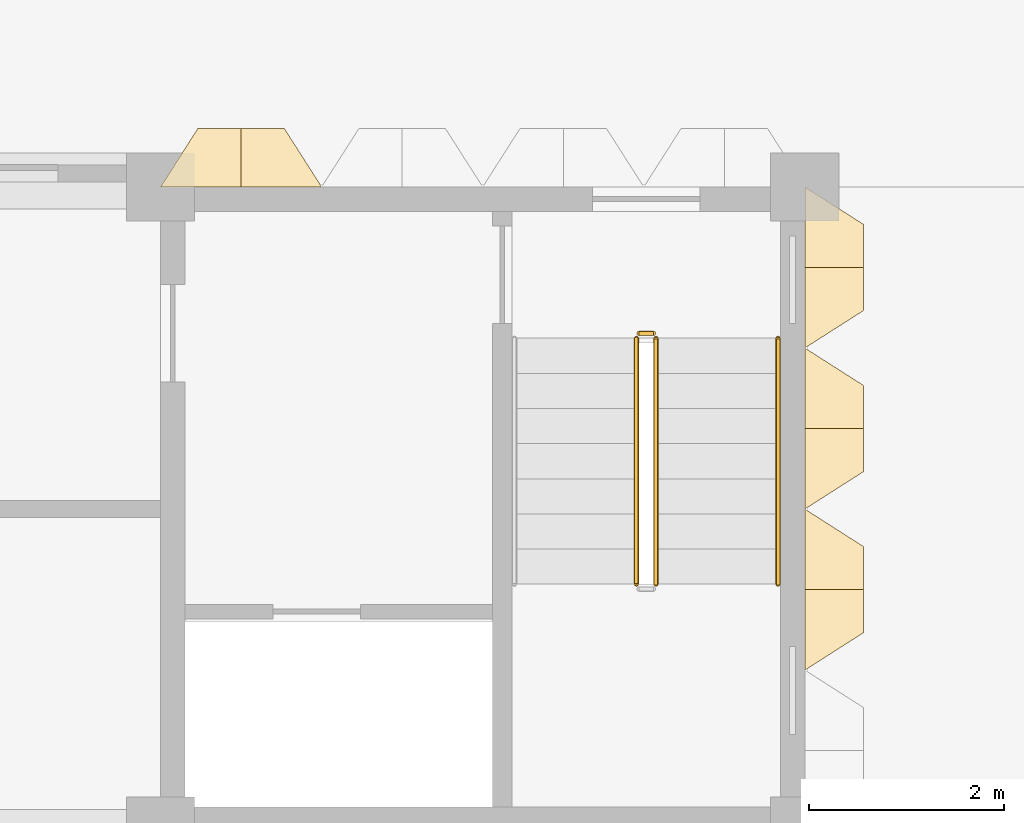
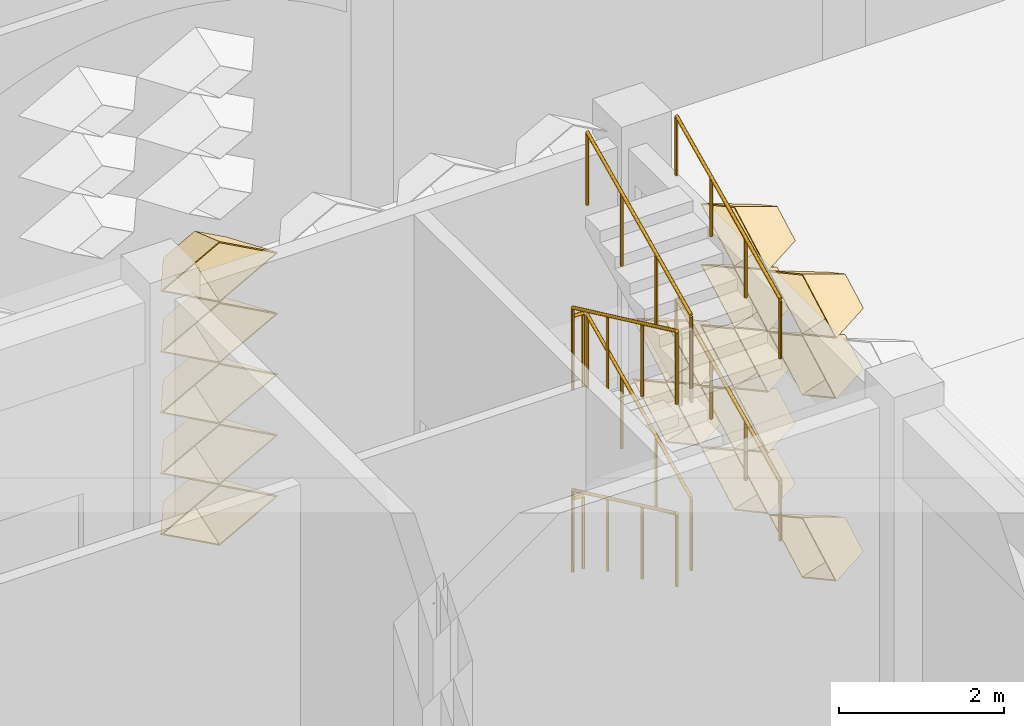
# One storey, part 67 of 85: 15 coverings, 8 railings.
"""IFC4 building model written with IfcOpenShell, lengths in metres."""

from ifc_helpers import new_model, entity, si_unit, direction, frame, origin, origin_2d, place, context, subcontext, project, spatial, circle, extrude, material, layer, layer_set, type_object, element, save


model = new_model("IFC4")

# Units and contexts
model_context = context("Model", 3, precision=1e-05, world=origin(), true_north=direction((0.0, 1.0)))
body_context = subcontext(model_context, "Body", "Model", "MODEL_VIEW")
ifc_project = project(units=[si_unit("LENGTHUNIT", "METRE"), si_unit("AREAUNIT", "SQUARE_METRE"), si_unit("VOLUMEUNIT", "CUBIC_METRE"), si_unit("PLANEANGLEUNIT", "RADIAN"), si_unit("MASSUNIT", "GRAM", prefix="KILO")], contexts=[model_context])

# Site, building, storey
site_placement = place(None, origin())
site = spatial("IfcSite", under=ifc_project, at=site_placement, CompositionType="ELEMENT")
building_placement = place(site_placement, origin())
building = spatial("IfcBuilding", under=site, at=building_placement, Name="Lantern Court Research Institute", CompositionType="ELEMENT")
storey_placement = place(building_placement, origin())
storey = spatial("IfcBuildingStorey", under=building, at=storey_placement, Name="L00", CompositionType="ELEMENT", Elevation=0.0)

# Coverings
ifc_material_1 = material(Name="Anodised aluminium", Category="aluminium")
ifc_layer = layer(ifc_material_1, 0.01611328125)
ifc_layer_set = layer_set([ifc_layer], Name="Anodised aluminium")
covering_type = type_object("IfcCoveringType", Name="Fin cassette 1650 x 900 x 600 aluminium", PredefinedType="CLADDING", material=ifc_layer_set)
covering_1_placement = place(storey_placement, frame((26.39990234375, 71.77490234375, 1.35009765625), z_axis=(1.0, 0.0, 0.0), x_axis=(0.0, 1.0, 0.0)))
cartesian_point_1 = entity("IfcCartesianPoint", [0.824951171875, 0.0])
cartesian_point_2 = entity("IfcCartesianPoint", [0.79150390625, 0.0])
cartesian_point_3 = entity("IfcCartesianPoint", [0.44189453125, 0.0])
cartesian_point_4 = entity("IfcCartesianPoint", [0.43359375, 0.0])
element("IfcCovering", 1, at=covering_1_placement, inside=storey, type_object=covering_type, Name="Fin cassette V3E-L00 2.44", PredefinedType="CLADDING", context=body_context, shape_type="SweptSolid", body=[
    entity("IfcExtrudedAreaSolidTapered", entity("IfcArbitraryProfileDefWithVoids", "AREA", None, entity("IfcPolyline", [cartesian_point_1, entity("IfcCartesianPoint", [0.0, 0.449951171875]), entity("IfcCartesianPoint", [-0.824951171875, 0.0]), entity("IfcCartesianPoint", [0.0, -0.449951171875]), cartesian_point_1]), [entity("IfcPolyline", [cartesian_point_2, entity("IfcCartesianPoint", [0.0, 0.431884765625]), entity("IfcCartesianPoint", [-0.79150390625, 0.0]), entity("IfcCartesianPoint", [0.0, -0.431884765625]), cartesian_point_2])]), entity("IfcAxis2Placement3D", entity("IfcCartesianPoint", [0.0, 0.0, 0.0])), entity("IfcDirection", [0.0, 0.0, 1.0]), 0.60009765625, entity("IfcArbitraryProfileDefWithVoids", "AREA", None, entity("IfcPolyline", [cartesian_point_3, entity("IfcCartesianPoint", [0.0, 0.240966796875]), entity("IfcCartesianPoint", [-0.44189453125, 0.0]), entity("IfcCartesianPoint", [0.0, -0.240966796875]), cartesian_point_3]), [entity("IfcPolyline", [cartesian_point_4, entity("IfcCartesianPoint", [0.0, 0.236572265625]), entity("IfcCartesianPoint", [-0.43359375, 0.0]), entity("IfcCartesianPoint", [0.0, -0.236572265625]), cartesian_point_4])])),
])
covering_2_placement = place(storey_placement, frame((26.39990234375, 73.425048828125, 1.35009765625), z_axis=(1.0, 0.0, 0.0), x_axis=(0.0, 1.0, 0.0)))
cartesian_point_5 = entity("IfcCartesianPoint", [0.824951171875, 0.0])
cartesian_point_6 = entity("IfcCartesianPoint", [0.79150390625, 0.0])
cartesian_point_7 = entity("IfcCartesianPoint", [0.44189453125, 0.0])
cartesian_point_8 = entity("IfcCartesianPoint", [0.43359375, 0.0])
element("IfcCovering", 2, at=covering_2_placement, inside=storey, type_object=covering_type, Name="Fin cassette V3E-L00 2.45", PredefinedType="CLADDING", context=body_context, shape_type="SweptSolid", body=[
    entity("IfcExtrudedAreaSolidTapered", entity("IfcArbitraryProfileDefWithVoids", "AREA", None, entity("IfcPolyline", [cartesian_point_5, entity("IfcCartesianPoint", [0.0, 0.449951171875]), entity("IfcCartesianPoint", [-0.824951171875, 0.0]), entity("IfcCartesianPoint", [0.0, -0.449951171875]), cartesian_point_5]), [entity("IfcPolyline", [cartesian_point_6, entity("IfcCartesianPoint", [0.0, 0.431884765625]), entity("IfcCartesianPoint", [-0.79150390625, 0.0]), entity("IfcCartesianPoint", [0.0, -0.431884765625]), cartesian_point_6])]), entity("IfcAxis2Placement3D", entity("IfcCartesianPoint", [0.0, 0.0, 0.0])), entity("IfcDirection", [0.0, 0.0, 1.0]), 0.60009765625, entity("IfcArbitraryProfileDefWithVoids", "AREA", None, entity("IfcPolyline", [cartesian_point_7, entity("IfcCartesianPoint", [0.0, 0.240966796875]), entity("IfcCartesianPoint", [-0.44189453125, 0.0]), entity("IfcCartesianPoint", [0.0, -0.240966796875]), cartesian_point_7]), [entity("IfcPolyline", [cartesian_point_8, entity("IfcCartesianPoint", [0.0, 0.236572265625]), entity("IfcCartesianPoint", [-0.43359375, 0.0]), entity("IfcCartesianPoint", [0.0, -0.236572265625]), cartesian_point_8])])),
])
covering_3_placement = place(storey_placement, frame((26.39990234375, 75.074951171875, 1.35009765625), z_axis=(1.0, 0.0, 0.0), x_axis=(0.0, 1.0, 0.0)))
cartesian_point_9 = entity("IfcCartesianPoint", [0.824951171875, 0.0])
cartesian_point_10 = entity("IfcCartesianPoint", [0.79150390625, 0.0])
cartesian_point_11 = entity("IfcCartesianPoint", [0.44189453125, 0.0])
cartesian_point_12 = entity("IfcCartesianPoint", [0.43359375, 0.0])
element("IfcCovering", 3, at=covering_3_placement, inside=storey, type_object=covering_type, Name="Fin cassette V3E-L00 2.46", PredefinedType="CLADDING", context=body_context, shape_type="SweptSolid", body=[
    entity("IfcExtrudedAreaSolidTapered", entity("IfcArbitraryProfileDefWithVoids", "AREA", None, entity("IfcPolyline", [cartesian_point_9, entity("IfcCartesianPoint", [0.0, 0.449951171875]), entity("IfcCartesianPoint", [-0.824951171875, 0.0]), entity("IfcCartesianPoint", [0.0, -0.449951171875]), cartesian_point_9]), [entity("IfcPolyline", [cartesian_point_10, entity("IfcCartesianPoint", [0.0, 0.431884765625]), entity("IfcCartesianPoint", [-0.79150390625, 0.0]), entity("IfcCartesianPoint", [0.0, -0.431884765625]), cartesian_point_10])]), entity("IfcAxis2Placement3D", entity("IfcCartesianPoint", [0.0, 0.0, 0.0])), entity("IfcDirection", [0.0, 0.0, 1.0]), 0.60009765625, entity("IfcArbitraryProfileDefWithVoids", "AREA", None, entity("IfcPolyline", [cartesian_point_11, entity("IfcCartesianPoint", [0.0, 0.240966796875]), entity("IfcCartesianPoint", [-0.44189453125, 0.0]), entity("IfcCartesianPoint", [0.0, -0.240966796875]), cartesian_point_11]), [entity("IfcPolyline", [cartesian_point_12, entity("IfcCartesianPoint", [0.0, 0.236572265625]), entity("IfcCartesianPoint", [-0.43359375, 0.0]), entity("IfcCartesianPoint", [0.0, -0.236572265625]), cartesian_point_12])])),
])
covering_4_placement = place(storey_placement, frame((26.39990234375, 73.425048828125, 2.25), z_axis=(1.0, 0.0, 0.0), x_axis=(0.0, 1.0, 0.0)))
cartesian_point_13 = entity("IfcCartesianPoint", [0.824951171875, 0.0])
cartesian_point_14 = entity("IfcCartesianPoint", [0.79150390625, 0.0])
cartesian_point_15 = entity("IfcCartesianPoint", [0.44189453125, 0.0])
cartesian_point_16 = entity("IfcCartesianPoint", [0.43359375, 0.0])
element("IfcCovering", 4, at=covering_4_placement, inside=storey, type_object=covering_type, Name="Fin cassette V3E-L00 3.45", PredefinedType="CLADDING", context=body_context, shape_type="SweptSolid", body=[
    entity("IfcExtrudedAreaSolidTapered", entity("IfcArbitraryProfileDefWithVoids", "AREA", None, entity("IfcPolyline", [cartesian_point_13, entity("IfcCartesianPoint", [0.0, 0.449951171875]), entity("IfcCartesianPoint", [-0.824951171875, 0.0]), entity("IfcCartesianPoint", [0.0, -0.449951171875]), cartesian_point_13]), [entity("IfcPolyline", [cartesian_point_14, entity("IfcCartesianPoint", [0.0, 0.431884765625]), entity("IfcCartesianPoint", [-0.79150390625, 0.0]), entity("IfcCartesianPoint", [0.0, -0.431884765625]), cartesian_point_14])]), entity("IfcAxis2Placement3D", entity("IfcCartesianPoint", [0.0, 0.0, 0.0])), entity("IfcDirection", [0.0, 0.0, 1.0]), 0.60009765625, entity("IfcArbitraryProfileDefWithVoids", "AREA", None, entity("IfcPolyline", [cartesian_point_15, entity("IfcCartesianPoint", [0.0, 0.240966796875]), entity("IfcCartesianPoint", [-0.44189453125, 0.0]), entity("IfcCartesianPoint", [0.0, -0.240966796875]), cartesian_point_15]), [entity("IfcPolyline", [cartesian_point_16, entity("IfcCartesianPoint", [0.0, 0.236572265625]), entity("IfcCartesianPoint", [-0.43359375, 0.0]), entity("IfcCartesianPoint", [0.0, -0.236572265625]), cartesian_point_16])])),
])
covering_5_placement = place(storey_placement, frame((26.39990234375, 75.074951171875, 2.25), z_axis=(1.0, 0.0, 0.0), x_axis=(0.0, 1.0, 0.0)))
cartesian_point_17 = entity("IfcCartesianPoint", [0.824951171875, 0.0])
cartesian_point_18 = entity("IfcCartesianPoint", [0.79150390625, 0.0])
cartesian_point_19 = entity("IfcCartesianPoint", [0.44189453125, 0.0])
cartesian_point_20 = entity("IfcCartesianPoint", [0.43359375, 0.0])
element("IfcCovering", 5, at=covering_5_placement, inside=storey, type_object=covering_type, Name="Fin cassette V3E-L00 3.46", PredefinedType="CLADDING", context=body_context, shape_type="SweptSolid", body=[
    entity("IfcExtrudedAreaSolidTapered", entity("IfcArbitraryProfileDefWithVoids", "AREA", None, entity("IfcPolyline", [cartesian_point_17, entity("IfcCartesianPoint", [0.0, 0.449951171875]), entity("IfcCartesianPoint", [-0.824951171875, 0.0]), entity("IfcCartesianPoint", [0.0, -0.449951171875]), cartesian_point_17]), [entity("IfcPolyline", [cartesian_point_18, entity("IfcCartesianPoint", [0.0, 0.431884765625]), entity("IfcCartesianPoint", [-0.79150390625, 0.0]), entity("IfcCartesianPoint", [0.0, -0.431884765625]), cartesian_point_18])]), entity("IfcAxis2Placement3D", entity("IfcCartesianPoint", [0.0, 0.0, 0.0])), entity("IfcDirection", [0.0, 0.0, 1.0]), 0.60009765625, entity("IfcArbitraryProfileDefWithVoids", "AREA", None, entity("IfcPolyline", [cartesian_point_19, entity("IfcCartesianPoint", [0.0, 0.240966796875]), entity("IfcCartesianPoint", [-0.44189453125, 0.0]), entity("IfcCartesianPoint", [0.0, -0.240966796875]), cartesian_point_19]), [entity("IfcPolyline", [cartesian_point_20, entity("IfcCartesianPoint", [0.0, 0.236572265625]), entity("IfcCartesianPoint", [-0.43359375, 0.0]), entity("IfcCartesianPoint", [0.0, -0.236572265625]), cartesian_point_20])])),
])
covering_6_placement = place(storey_placement, frame((26.39990234375, 73.425048828125, 3.14990234375), z_axis=(1.0, 0.0, 0.0), x_axis=(0.0, 1.0, 0.0)))
cartesian_point_21 = entity("IfcCartesianPoint", [0.824951171875, 0.0])
cartesian_point_22 = entity("IfcCartesianPoint", [0.79150390625, 0.0])
cartesian_point_23 = entity("IfcCartesianPoint", [0.44189453125, 0.0])
cartesian_point_24 = entity("IfcCartesianPoint", [0.43359375, 0.0])
element("IfcCovering", 6, at=covering_6_placement, inside=storey, type_object=covering_type, Name="Fin cassette V3E-L00 4.45", PredefinedType="CLADDING", context=body_context, shape_type="SweptSolid", body=[
    entity("IfcExtrudedAreaSolidTapered", entity("IfcArbitraryProfileDefWithVoids", "AREA", None, entity("IfcPolyline", [cartesian_point_21, entity("IfcCartesianPoint", [0.0, 0.449951171875]), entity("IfcCartesianPoint", [-0.824951171875, 0.0]), entity("IfcCartesianPoint", [0.0, -0.449951171875]), cartesian_point_21]), [entity("IfcPolyline", [cartesian_point_22, entity("IfcCartesianPoint", [0.0, 0.431884765625]), entity("IfcCartesianPoint", [-0.79150390625, 0.0]), entity("IfcCartesianPoint", [0.0, -0.431884765625]), cartesian_point_22])]), entity("IfcAxis2Placement3D", entity("IfcCartesianPoint", [0.0, 0.0, 0.0])), entity("IfcDirection", [0.0, 0.0, 1.0]), 0.60009765625, entity("IfcArbitraryProfileDefWithVoids", "AREA", None, entity("IfcPolyline", [cartesian_point_23, entity("IfcCartesianPoint", [0.0, 0.240966796875]), entity("IfcCartesianPoint", [-0.44189453125, 0.0]), entity("IfcCartesianPoint", [0.0, -0.240966796875]), cartesian_point_23]), [entity("IfcPolyline", [cartesian_point_24, entity("IfcCartesianPoint", [0.0, 0.236572265625]), entity("IfcCartesianPoint", [-0.43359375, 0.0]), entity("IfcCartesianPoint", [0.0, -0.236572265625]), cartesian_point_24])])),
])
covering_7_placement = place(storey_placement, frame((26.39990234375, 71.77490234375, 4.050048828125), z_axis=(1.0, 0.0, 0.0), x_axis=(0.0, 1.0, 0.0)))
cartesian_point_25 = entity("IfcCartesianPoint", [0.824951171875, 0.0])
cartesian_point_26 = entity("IfcCartesianPoint", [0.79150390625, 0.0])
cartesian_point_27 = entity("IfcCartesianPoint", [0.44189453125, 0.0])
cartesian_point_28 = entity("IfcCartesianPoint", [0.43359375, 0.0])
element("IfcCovering", 7, at=covering_7_placement, inside=storey, type_object=covering_type, Name="Fin cassette V3E-L00 5.44", PredefinedType="CLADDING", context=body_context, shape_type="SweptSolid", body=[
    entity("IfcExtrudedAreaSolidTapered", entity("IfcArbitraryProfileDefWithVoids", "AREA", None, entity("IfcPolyline", [cartesian_point_25, entity("IfcCartesianPoint", [0.0, 0.449951171875]), entity("IfcCartesianPoint", [-0.824951171875, 0.0]), entity("IfcCartesianPoint", [0.0, -0.449951171875]), cartesian_point_25]), [entity("IfcPolyline", [cartesian_point_26, entity("IfcCartesianPoint", [0.0, 0.431884765625]), entity("IfcCartesianPoint", [-0.79150390625, 0.0]), entity("IfcCartesianPoint", [0.0, -0.431884765625]), cartesian_point_26])]), entity("IfcAxis2Placement3D", entity("IfcCartesianPoint", [0.0, 0.0, 0.0])), entity("IfcDirection", [0.0, 0.0, 1.0]), 0.60009765625, entity("IfcArbitraryProfileDefWithVoids", "AREA", None, entity("IfcPolyline", [cartesian_point_27, entity("IfcCartesianPoint", [0.0, 0.240966796875]), entity("IfcCartesianPoint", [-0.44189453125, 0.0]), entity("IfcCartesianPoint", [0.0, -0.240966796875]), cartesian_point_27]), [entity("IfcPolyline", [cartesian_point_28, entity("IfcCartesianPoint", [0.0, 0.236572265625]), entity("IfcCartesianPoint", [-0.43359375, 0.0]), entity("IfcCartesianPoint", [0.0, -0.236572265625]), cartesian_point_28])])),
])
covering_8_placement = place(storey_placement, frame((26.39990234375, 73.425048828125, 4.050048828125), z_axis=(1.0, 0.0, 0.0), x_axis=(0.0, 1.0, 0.0)))
cartesian_point_29 = entity("IfcCartesianPoint", [0.824951171875, 0.0])
cartesian_point_30 = entity("IfcCartesianPoint", [0.79150390625, 0.0])
cartesian_point_31 = entity("IfcCartesianPoint", [0.44189453125, 0.0])
cartesian_point_32 = entity("IfcCartesianPoint", [0.43359375, 0.0])
element("IfcCovering", 8, at=covering_8_placement, inside=storey, type_object=covering_type, Name="Fin cassette V3E-L00 5.45", PredefinedType="CLADDING", context=body_context, shape_type="SweptSolid", body=[
    entity("IfcExtrudedAreaSolidTapered", entity("IfcArbitraryProfileDefWithVoids", "AREA", None, entity("IfcPolyline", [cartesian_point_29, entity("IfcCartesianPoint", [0.0, 0.449951171875]), entity("IfcCartesianPoint", [-0.824951171875, 0.0]), entity("IfcCartesianPoint", [0.0, -0.449951171875]), cartesian_point_29]), [entity("IfcPolyline", [cartesian_point_30, entity("IfcCartesianPoint", [0.0, 0.431884765625]), entity("IfcCartesianPoint", [-0.79150390625, 0.0]), entity("IfcCartesianPoint", [0.0, -0.431884765625]), cartesian_point_30])]), entity("IfcAxis2Placement3D", entity("IfcCartesianPoint", [0.0, 0.0, 0.0])), entity("IfcDirection", [0.0, 0.0, 1.0]), 0.60009765625, entity("IfcArbitraryProfileDefWithVoids", "AREA", None, entity("IfcPolyline", [cartesian_point_31, entity("IfcCartesianPoint", [0.0, 0.240966796875]), entity("IfcCartesianPoint", [-0.44189453125, 0.0]), entity("IfcCartesianPoint", [0.0, -0.240966796875]), cartesian_point_31]), [entity("IfcPolyline", [cartesian_point_32, entity("IfcCartesianPoint", [0.0, 0.236572265625]), entity("IfcCartesianPoint", [-0.43359375, 0.0]), entity("IfcCartesianPoint", [0.0, -0.236572265625]), cartesian_point_32])])),
])
covering_9_placement = place(storey_placement, frame((26.39990234375, 71.77490234375, 4.949951171875), z_axis=(1.0, 0.0, 0.0), x_axis=(0.0, 1.0, 0.0)))
cartesian_point_33 = entity("IfcCartesianPoint", [0.824951171875, 0.0])
cartesian_point_34 = entity("IfcCartesianPoint", [0.79150390625, 0.0])
cartesian_point_35 = entity("IfcCartesianPoint", [0.44189453125, 0.0])
cartesian_point_36 = entity("IfcCartesianPoint", [0.43359375, 0.0])
element("IfcCovering", 9, at=covering_9_placement, inside=storey, type_object=covering_type, Name="Fin cassette V3E-L00 6.44", PredefinedType="CLADDING", context=body_context, shape_type="SweptSolid", body=[
    entity("IfcExtrudedAreaSolidTapered", entity("IfcArbitraryProfileDefWithVoids", "AREA", None, entity("IfcPolyline", [cartesian_point_33, entity("IfcCartesianPoint", [0.0, 0.449951171875]), entity("IfcCartesianPoint", [-0.824951171875, 0.0]), entity("IfcCartesianPoint", [0.0, -0.449951171875]), cartesian_point_33]), [entity("IfcPolyline", [cartesian_point_34, entity("IfcCartesianPoint", [0.0, 0.431884765625]), entity("IfcCartesianPoint", [-0.79150390625, 0.0]), entity("IfcCartesianPoint", [0.0, -0.431884765625]), cartesian_point_34])]), entity("IfcAxis2Placement3D", entity("IfcCartesianPoint", [0.0, 0.0, 0.0])), entity("IfcDirection", [0.0, 0.0, 1.0]), 0.60009765625, entity("IfcArbitraryProfileDefWithVoids", "AREA", None, entity("IfcPolyline", [cartesian_point_35, entity("IfcCartesianPoint", [0.0, 0.240966796875]), entity("IfcCartesianPoint", [-0.44189453125, 0.0]), entity("IfcCartesianPoint", [0.0, -0.240966796875]), cartesian_point_35]), [entity("IfcPolyline", [cartesian_point_36, entity("IfcCartesianPoint", [0.0, 0.236572265625]), entity("IfcCartesianPoint", [-0.43359375, 0.0]), entity("IfcCartesianPoint", [0.0, -0.236572265625]), cartesian_point_36])])),
])
covering_10_placement = place(storey_placement, frame((26.39990234375, 73.425048828125, 4.949951171875), z_axis=(1.0, 0.0, 0.0), x_axis=(0.0, 1.0, 0.0)))
cartesian_point_37 = entity("IfcCartesianPoint", [0.824951171875, 0.0])
cartesian_point_38 = entity("IfcCartesianPoint", [0.79150390625, 0.0])
cartesian_point_39 = entity("IfcCartesianPoint", [0.44189453125, 0.0])
cartesian_point_40 = entity("IfcCartesianPoint", [0.43359375, 0.0])
element("IfcCovering", 10, at=covering_10_placement, inside=storey, type_object=covering_type, Name="Fin cassette V3E-L00 6.45", PredefinedType="CLADDING", context=body_context, shape_type="SweptSolid", body=[
    entity("IfcExtrudedAreaSolidTapered", entity("IfcArbitraryProfileDefWithVoids", "AREA", None, entity("IfcPolyline", [cartesian_point_37, entity("IfcCartesianPoint", [0.0, 0.449951171875]), entity("IfcCartesianPoint", [-0.824951171875, 0.0]), entity("IfcCartesianPoint", [0.0, -0.449951171875]), cartesian_point_37]), [entity("IfcPolyline", [cartesian_point_38, entity("IfcCartesianPoint", [0.0, 0.431884765625]), entity("IfcCartesianPoint", [-0.79150390625, 0.0]), entity("IfcCartesianPoint", [0.0, -0.431884765625]), cartesian_point_38])]), entity("IfcAxis2Placement3D", entity("IfcCartesianPoint", [0.0, 0.0, 0.0])), entity("IfcDirection", [0.0, 0.0, 1.0]), 0.60009765625, entity("IfcArbitraryProfileDefWithVoids", "AREA", None, entity("IfcPolyline", [cartesian_point_39, entity("IfcCartesianPoint", [0.0, 0.240966796875]), entity("IfcCartesianPoint", [-0.44189453125, 0.0]), entity("IfcCartesianPoint", [0.0, -0.240966796875]), cartesian_point_39]), [entity("IfcPolyline", [cartesian_point_40, entity("IfcCartesianPoint", [0.0, 0.236572265625]), entity("IfcCartesianPoint", [-0.43359375, 0.0]), entity("IfcCartesianPoint", [0.0, -0.236572265625]), cartesian_point_40])])),
])
covering_11_placement = place(storey_placement, frame((20.625, 75.89990234375, 1.35009765625), z_axis=(0.0, 1.0, 0.0), x_axis=(-1.0, 0.0, 0.0)))
cartesian_point_41 = entity("IfcCartesianPoint", [0.824951171875, 0.0])
cartesian_point_42 = entity("IfcCartesianPoint", [0.79150390625, 0.0])
cartesian_point_43 = entity("IfcCartesianPoint", [0.44189453125, 0.0])
cartesian_point_44 = entity("IfcCartesianPoint", [0.43359375, 0.0])
element("IfcCovering", 11, at=covering_11_placement, inside=storey, type_object=covering_type, Name="Fin cassette V3N-L00 2.13", PredefinedType="CLADDING", context=body_context, shape_type="SweptSolid", body=[
    entity("IfcExtrudedAreaSolidTapered", entity("IfcArbitraryProfileDefWithVoids", "AREA", None, entity("IfcPolyline", [cartesian_point_41, entity("IfcCartesianPoint", [0.0, 0.449951171875]), entity("IfcCartesianPoint", [-0.824951171875, 0.0]), entity("IfcCartesianPoint", [0.0, -0.449951171875]), cartesian_point_41]), [entity("IfcPolyline", [cartesian_point_42, entity("IfcCartesianPoint", [0.0, 0.431884765625]), entity("IfcCartesianPoint", [-0.79150390625, 0.0]), entity("IfcCartesianPoint", [0.0, -0.431884765625]), cartesian_point_42])]), entity("IfcAxis2Placement3D", entity("IfcCartesianPoint", [0.0, 0.0, 0.0])), entity("IfcDirection", [0.0, 0.0, 1.0]), 0.60009765625, entity("IfcArbitraryProfileDefWithVoids", "AREA", None, entity("IfcPolyline", [cartesian_point_43, entity("IfcCartesianPoint", [0.0, 0.240966796875]), entity("IfcCartesianPoint", [-0.44189453125, 0.0]), entity("IfcCartesianPoint", [0.0, -0.240966796875]), cartesian_point_43]), [entity("IfcPolyline", [cartesian_point_44, entity("IfcCartesianPoint", [0.0, 0.236572265625]), entity("IfcCartesianPoint", [-0.43359375, 0.0]), entity("IfcCartesianPoint", [0.0, -0.236572265625]), cartesian_point_44])])),
])
covering_12_placement = place(storey_placement, frame((20.625, 75.89990234375, 2.25), z_axis=(0.0, 1.0, 0.0), x_axis=(-1.0, 0.0, 0.0)))
cartesian_point_45 = entity("IfcCartesianPoint", [0.824951171875, 0.0])
cartesian_point_46 = entity("IfcCartesianPoint", [0.79150390625, 0.0])
cartesian_point_47 = entity("IfcCartesianPoint", [0.44189453125, 0.0])
cartesian_point_48 = entity("IfcCartesianPoint", [0.43359375, 0.0])
element("IfcCovering", 12, at=covering_12_placement, inside=storey, type_object=covering_type, Name="Fin cassette V3N-L00 3.13", PredefinedType="CLADDING", context=body_context, shape_type="SweptSolid", body=[
    entity("IfcExtrudedAreaSolidTapered", entity("IfcArbitraryProfileDefWithVoids", "AREA", None, entity("IfcPolyline", [cartesian_point_45, entity("IfcCartesianPoint", [0.0, 0.449951171875]), entity("IfcCartesianPoint", [-0.824951171875, 0.0]), entity("IfcCartesianPoint", [0.0, -0.449951171875]), cartesian_point_45]), [entity("IfcPolyline", [cartesian_point_46, entity("IfcCartesianPoint", [0.0, 0.431884765625]), entity("IfcCartesianPoint", [-0.79150390625, 0.0]), entity("IfcCartesianPoint", [0.0, -0.431884765625]), cartesian_point_46])]), entity("IfcAxis2Placement3D", entity("IfcCartesianPoint", [0.0, 0.0, 0.0])), entity("IfcDirection", [0.0, 0.0, 1.0]), 0.60009765625, entity("IfcArbitraryProfileDefWithVoids", "AREA", None, entity("IfcPolyline", [cartesian_point_47, entity("IfcCartesianPoint", [0.0, 0.240966796875]), entity("IfcCartesianPoint", [-0.44189453125, 0.0]), entity("IfcCartesianPoint", [0.0, -0.240966796875]), cartesian_point_47]), [entity("IfcPolyline", [cartesian_point_48, entity("IfcCartesianPoint", [0.0, 0.236572265625]), entity("IfcCartesianPoint", [-0.43359375, 0.0]), entity("IfcCartesianPoint", [0.0, -0.236572265625]), cartesian_point_48])])),
])
covering_13_placement = place(storey_placement, frame((20.625, 75.89990234375, 3.14990234375), z_axis=(0.0, 1.0, 0.0), x_axis=(-1.0, 0.0, 0.0)))
cartesian_point_49 = entity("IfcCartesianPoint", [0.824951171875, 0.0])
cartesian_point_50 = entity("IfcCartesianPoint", [0.79150390625, 0.0])
cartesian_point_51 = entity("IfcCartesianPoint", [0.44189453125, 0.0])
cartesian_point_52 = entity("IfcCartesianPoint", [0.43359375, 0.0])
element("IfcCovering", 13, at=covering_13_placement, inside=storey, type_object=covering_type, Name="Fin cassette V3N-L00 4.13", PredefinedType="CLADDING", context=body_context, shape_type="SweptSolid", body=[
    entity("IfcExtrudedAreaSolidTapered", entity("IfcArbitraryProfileDefWithVoids", "AREA", None, entity("IfcPolyline", [cartesian_point_49, entity("IfcCartesianPoint", [0.0, 0.449951171875]), entity("IfcCartesianPoint", [-0.824951171875, 0.0]), entity("IfcCartesianPoint", [0.0, -0.449951171875]), cartesian_point_49]), [entity("IfcPolyline", [cartesian_point_50, entity("IfcCartesianPoint", [0.0, 0.431884765625]), entity("IfcCartesianPoint", [-0.79150390625, 0.0]), entity("IfcCartesianPoint", [0.0, -0.431884765625]), cartesian_point_50])]), entity("IfcAxis2Placement3D", entity("IfcCartesianPoint", [0.0, 0.0, 0.0])), entity("IfcDirection", [0.0, 0.0, 1.0]), 0.60009765625, entity("IfcArbitraryProfileDefWithVoids", "AREA", None, entity("IfcPolyline", [cartesian_point_51, entity("IfcCartesianPoint", [0.0, 0.240966796875]), entity("IfcCartesianPoint", [-0.44189453125, 0.0]), entity("IfcCartesianPoint", [0.0, -0.240966796875]), cartesian_point_51]), [entity("IfcPolyline", [cartesian_point_52, entity("IfcCartesianPoint", [0.0, 0.236572265625]), entity("IfcCartesianPoint", [-0.43359375, 0.0]), entity("IfcCartesianPoint", [0.0, -0.236572265625]), cartesian_point_52])])),
])
covering_14_placement = place(storey_placement, frame((20.625, 75.89990234375, 4.050048828125), z_axis=(0.0, 1.0, 0.0), x_axis=(-1.0, 0.0, 0.0)))
cartesian_point_53 = entity("IfcCartesianPoint", [0.824951171875, 0.0])
cartesian_point_54 = entity("IfcCartesianPoint", [0.79150390625, 0.0])
cartesian_point_55 = entity("IfcCartesianPoint", [0.44189453125, 0.0])
cartesian_point_56 = entity("IfcCartesianPoint", [0.43359375, 0.0])
element("IfcCovering", 14, at=covering_14_placement, inside=storey, type_object=covering_type, Name="Fin cassette V3N-L00 5.13", PredefinedType="CLADDING", context=body_context, shape_type="SweptSolid", body=[
    entity("IfcExtrudedAreaSolidTapered", entity("IfcArbitraryProfileDefWithVoids", "AREA", None, entity("IfcPolyline", [cartesian_point_53, entity("IfcCartesianPoint", [0.0, 0.449951171875]), entity("IfcCartesianPoint", [-0.824951171875, 0.0]), entity("IfcCartesianPoint", [0.0, -0.449951171875]), cartesian_point_53]), [entity("IfcPolyline", [cartesian_point_54, entity("IfcCartesianPoint", [0.0, 0.431884765625]), entity("IfcCartesianPoint", [-0.79150390625, 0.0]), entity("IfcCartesianPoint", [0.0, -0.431884765625]), cartesian_point_54])]), entity("IfcAxis2Placement3D", entity("IfcCartesianPoint", [0.0, 0.0, 0.0])), entity("IfcDirection", [0.0, 0.0, 1.0]), 0.60009765625, entity("IfcArbitraryProfileDefWithVoids", "AREA", None, entity("IfcPolyline", [cartesian_point_55, entity("IfcCartesianPoint", [0.0, 0.240966796875]), entity("IfcCartesianPoint", [-0.44189453125, 0.0]), entity("IfcCartesianPoint", [0.0, -0.240966796875]), cartesian_point_55]), [entity("IfcPolyline", [cartesian_point_56, entity("IfcCartesianPoint", [0.0, 0.236572265625]), entity("IfcCartesianPoint", [-0.43359375, 0.0]), entity("IfcCartesianPoint", [0.0, -0.236572265625]), cartesian_point_56])])),
])
covering_15_placement = place(storey_placement, frame((20.625, 75.89990234375, 4.949951171875), z_axis=(0.0, 1.0, 0.0), x_axis=(-1.0, 0.0, 0.0)))
cartesian_point_57 = entity("IfcCartesianPoint", [0.824951171875, 0.0])
cartesian_point_58 = entity("IfcCartesianPoint", [0.79150390625, 0.0])
cartesian_point_59 = entity("IfcCartesianPoint", [0.44189453125, 0.0])
cartesian_point_60 = entity("IfcCartesianPoint", [0.43359375, 0.0])
element("IfcCovering", 15, at=covering_15_placement, inside=storey, type_object=covering_type, Name="Fin cassette V3N-L00 6.13", PredefinedType="CLADDING", context=body_context, shape_type="SweptSolid", body=[
    entity("IfcExtrudedAreaSolidTapered", entity("IfcArbitraryProfileDefWithVoids", "AREA", None, entity("IfcPolyline", [cartesian_point_57, entity("IfcCartesianPoint", [0.0, 0.449951171875]), entity("IfcCartesianPoint", [-0.824951171875, 0.0]), entity("IfcCartesianPoint", [0.0, -0.449951171875]), cartesian_point_57]), [entity("IfcPolyline", [cartesian_point_58, entity("IfcCartesianPoint", [0.0, 0.431884765625]), entity("IfcCartesianPoint", [-0.79150390625, 0.0]), entity("IfcCartesianPoint", [0.0, -0.431884765625]), cartesian_point_58])]), entity("IfcAxis2Placement3D", entity("IfcCartesianPoint", [0.0, 0.0, 0.0])), entity("IfcDirection", [0.0, 0.0, 1.0]), 0.60009765625, entity("IfcArbitraryProfileDefWithVoids", "AREA", None, entity("IfcPolyline", [cartesian_point_59, entity("IfcCartesianPoint", [0.0, 0.240966796875]), entity("IfcCartesianPoint", [-0.44189453125, 0.0]), entity("IfcCartesianPoint", [0.0, -0.240966796875]), cartesian_point_59]), [entity("IfcPolyline", [cartesian_point_60, entity("IfcCartesianPoint", [0.0, 0.236572265625]), entity("IfcCartesianPoint", [-0.43359375, 0.0]), entity("IfcCartesianPoint", [0.0, -0.236572265625]), cartesian_point_60])])),
])

# Railings
ifc_material_2 = material(Name="Structural steel S355", Category="steel")
railing_type_1 = type_object("IfcRailingType", Name="Stair guard 1100 steel", PredefinedType="GUARDRAIL", material=ifc_material_2)
railing_1_placement = place(storey_placement, frame((24.675048828125, 74.35009765625, 0.168701171875)))
element("IfcRailing", 16, at=railing_1_placement, inside=storey, type_object=railing_type_1, Name="L00 ST-C2 stair guard 1", PredefinedType="GUARDRAIL", context=body_context, shape_type="SweptSolid", body=[
    extrude(circle(Radius=0.02392578125, at=origin_2d()), frame((0.0, 0.0, 1.076171875), z_axis=(0.0, -0.905439972488, 0.424474329284), x_axis=(1.0, 0.0, 0.0)), (0.0, 0.0, 1.0), 2.783203125),
    extrude(circle(Radius=0.02099609375, at=origin_2d()), origin(), (0.0, 0.0, 1.0), 1.052001953125),
    extrude(circle(Radius=0.02099609375, at=origin_2d()), frame((0.0, -0.840087890625, 0.393798828125)), (0.0, 0.0, 1.0), 1.052001953125),
    extrude(circle(Radius=0.02099609375, at=origin_2d()), frame((0.0, -1.679931640625, 0.78759765625)), (0.0, 0.0, 1.0), 1.052001953125),
    extrude(circle(Radius=0.02099609375, at=origin_2d()), frame((0.0, -2.52001953125, 1.181396484375)), (0.0, 0.0, 1.0), 1.052001953125),
])
railing_2_placement = place(storey_placement, frame((24.875, 71.830078125, 1.518798828125)))
element("IfcRailing", 17, at=railing_2_placement, inside=storey, type_object=railing_type_1, Name="L00 ST-C2 stair guard 3", PredefinedType="GUARDRAIL", context=body_context, shape_type="SweptSolid", body=[
    extrude(circle(Radius=0.02392578125, at=origin_2d()), frame((0.0, 0.0, 1.076171875), z_axis=(0.0, 0.905473684625, 0.424402410988), x_axis=(-1.0, 0.0, 0.0)), (0.0, 0.0, 1.0), 2.783203125),
    extrude(circle(Radius=0.02099609375, at=origin_2d()), origin(), (0.0, 0.0, 1.0), 1.052001953125),
    extrude(circle(Radius=0.02099609375, at=origin_2d()), frame((0.0, 0.840087890625, 0.393798828125)), (0.0, 0.0, 1.0), 1.052001953125),
    extrude(circle(Radius=0.02099609375, at=origin_2d()), frame((0.0, 1.679931640625, 0.787353515625)), (0.0, 0.0, 1.0), 1.052001953125),
    extrude(circle(Radius=0.02099609375, at=origin_2d()), frame((0.0, 2.52001953125, 1.18115234375)), (0.0, 0.0, 1.0), 1.052001953125),
])
railing_3_placement = place(storey_placement, frame((24.699951171875, 74.39990234375, 2.699951171875)))
element("IfcRailing", 18, at=railing_3_placement, inside=storey, type_object=railing_type_1, Name="L00 ST-C2 stair guard 4", PredefinedType="GUARDRAIL", context=body_context, shape_type="SweptSolid", body=[
    extrude(circle(Radius=0.02392578125, at=origin_2d()), frame((0.0, 0.0, 1.076171875), z_axis=(1.0, 0.0, 0.0), x_axis=(0.0, 1.0, 0.0)), (0.0, 0.0, 1.0), 0.150146484375),
    extrude(circle(Radius=0.02099609375, at=origin_2d()), origin(), (0.0, 0.0, 1.0), 1.052001953125),
    extrude(circle(Radius=0.02099609375, at=origin_2d()), frame((0.150146484375, 0.0, 0.0)), (0.0, 0.0, 1.0), 1.052001953125),
])
railing_4_placement = place(storey_placement, frame((24.675048828125, 74.35009765625, 2.86865234375)))
element("IfcRailing", 19, at=railing_4_placement, inside=storey, type_object=railing_type_1, Name="L00 ST-C2 stair guard 5", PredefinedType="GUARDRAIL", context=body_context, shape_type="SweptSolid", body=[
    extrude(circle(Radius=0.02392578125, at=origin_2d()), frame((0.0, 0.0, 1.076171875), z_axis=(0.0, -0.905439972488, 0.424474329284), x_axis=(1.0, 0.0, 0.0)), (0.0, 0.0, 1.0), 2.783203125),
    extrude(circle(Radius=0.02099609375, at=origin_2d()), origin(), (0.0, 0.0, 1.0), 1.052001953125),
    extrude(circle(Radius=0.02099609375, at=origin_2d()), frame((0.0, -0.840087890625, 0.393798828125)), (0.0, 0.0, 1.0), 1.052001953125),
    extrude(circle(Radius=0.02099609375, at=origin_2d()), frame((0.0, -1.679931640625, 0.78759765625)), (0.0, 0.0, 1.0), 1.052001953125),
    extrude(circle(Radius=0.02099609375, at=origin_2d()), frame((0.0, -2.52001953125, 1.181396484375)), (0.0, 0.0, 1.0), 1.052001953125),
])
railing_5_placement = place(storey_placement, frame((24.875, 71.830078125, 4.21875)))
element("IfcRailing", 20, at=railing_5_placement, inside=storey, type_object=railing_type_1, Name="L00 ST-C2 stair guard 7", PredefinedType="GUARDRAIL", context=body_context, shape_type="SweptSolid", body=[
    extrude(circle(Radius=0.02392578125, at=origin_2d()), frame((0.0, 0.0, 1.076171875), z_axis=(0.0, 0.905473684625, 0.424402410988), x_axis=(-1.0, 0.0, 0.0)), (0.0, 0.0, 1.0), 2.783203125),
    extrude(circle(Radius=0.02099609375, at=origin_2d()), origin(), (0.0, 0.0, 1.0), 1.052001953125),
    extrude(circle(Radius=0.02099609375, at=origin_2d()), frame((0.0, 0.840087890625, 0.393798828125)), (0.0, 0.0, 1.0), 1.052001953125),
    extrude(circle(Radius=0.02099609375, at=origin_2d()), frame((0.0, 1.679931640625, 0.787353515625)), (0.0, 0.0, 1.0), 1.052001953125),
    extrude(circle(Radius=0.02099609375, at=origin_2d()), frame((0.0, 2.52001953125, 1.18115234375)), (0.0, 0.0, 1.0), 1.052001953125),
])
railing_6_placement = place(storey_placement, frame((24.699951171875, 74.39990234375, 0.0)))
element("IfcRailing", 21, at=railing_6_placement, inside=storey, type_object=railing_type_1, Name="L00 ST-C2 stair guard 8", PredefinedType="GUARDRAIL", context=body_context, shape_type="SweptSolid", body=[
    extrude(circle(Radius=0.02392578125, at=origin_2d()), frame((0.0, 0.0, 1.076171875), z_axis=(1.0, 0.0, 0.0), x_axis=(0.0, 1.0, 0.0)), (0.0, 0.0, 1.0), 0.150146484375),
    extrude(circle(Radius=0.02099609375, at=origin_2d()), origin(), (0.0, 0.0, 1.0), 1.052001953125),
    extrude(circle(Radius=0.02099609375, at=origin_2d()), frame((0.150146484375, 0.0, 0.0)), (0.0, 0.0, 1.0), 1.052001953125),
])
ifc_material_3 = material(Name="Stainless steel 316", Category="steel")
railing_type_2 = type_object("IfcRailingType", Name="Stair handrail 900 steel", PredefinedType="HANDRAIL", material=ifc_material_3)
for number, where, name in (
    (22, (26.125, 71.830078125, 1.518798828125), "L00 ST-C2 stair handrail 2"),
    (23, (26.125, 71.830078125, 4.21875), "L00 ST-C2 stair handrail 4"),
):
    element("IfcRailing", number, at=place(storey_placement, frame(where)), inside=storey, type_object=railing_type_2, Name=name, PredefinedType="HANDRAIL", context=body_context, shape_type="SweptSolid", body=[
        extrude(circle(Radius=0.02392578125, at=origin_2d()), frame((0.0, 0.0, 0.8759765625), z_axis=(0.0, 0.905473684625, 0.424402410988), x_axis=(-1.0, 0.0, 0.0)), (0.0, 0.0, 1.0), 2.783203125),
        extrude(circle(Radius=0.02099609375, at=origin_2d()), origin(), (0.0, 0.0, 1.0), 0.851806640625),
        extrude(circle(Radius=0.02099609375, at=origin_2d()), frame((0.0, 0.840087890625, 0.393798828125)), (0.0, 0.0, 1.0), 0.851806640625),
        extrude(circle(Radius=0.02099609375, at=origin_2d()), frame((0.0, 1.679931640625, 0.787353515625)), (0.0, 0.0, 1.0), 0.851806640625),
        extrude(circle(Radius=0.02099609375, at=origin_2d()), frame((0.0, 2.52001953125, 1.18115234375)), (0.0, 0.0, 1.0), 0.851806640625),
    ])

save(model, "model.ifc")
